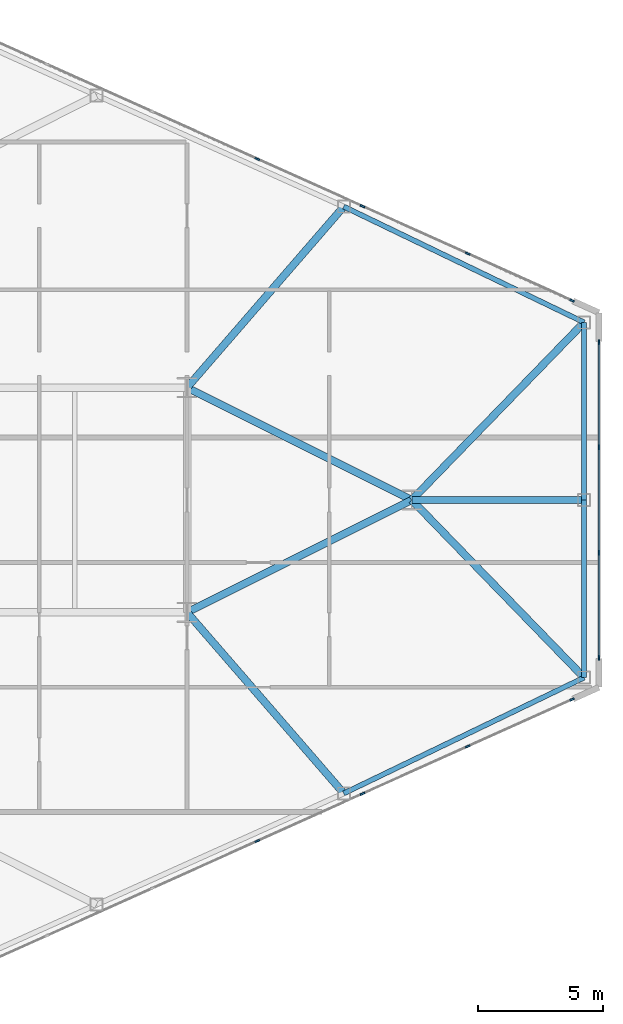
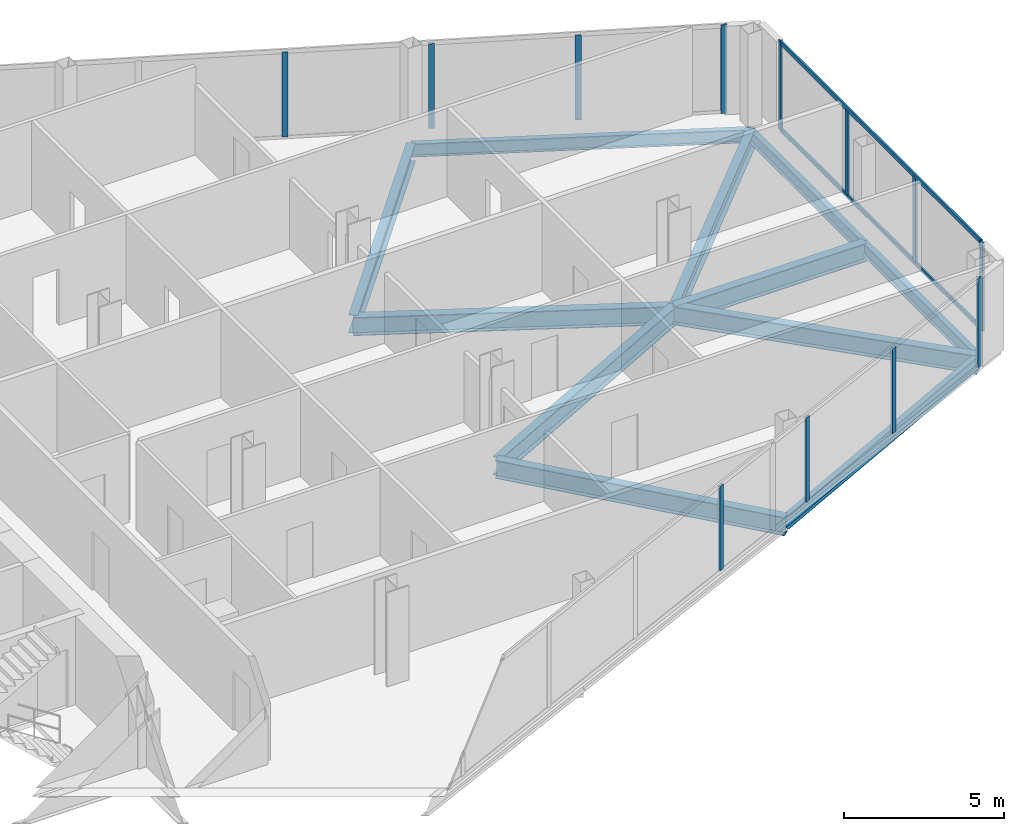
# One storey, part 16 of 27: 14 members, 11 beams, 3 elements without a shape of their own.
"""IFC4 building model written with IfcOpenShell, lengths in metres."""

from ifc_helpers import new_model, si_unit, direction, frame, origin, origin_2d, place, context, subcontext, project, spatial, rectangle, i_section, extrude, source, transform, mapped, material, layer, layer_set, material_profile, profile_set, type_object, type_shapes, element, aggregate, save


model = new_model("IFC4")

# Units and contexts
model_context = context("Model", 3, precision=1e-05, world=origin(), true_north=direction((0.0, 1.0)))
body_context = subcontext(model_context, "Body", "Model", "MODEL_VIEW")
ifc_project = project(units=[si_unit("LENGTHUNIT", "METRE"), si_unit("AREAUNIT", "SQUARE_METRE"), si_unit("VOLUMEUNIT", "CUBIC_METRE"), si_unit("PLANEANGLEUNIT", "RADIAN"), si_unit("MASSUNIT", "GRAM", prefix="KILO")], contexts=[model_context])

# Site, building, storey
site_placement = place(None, origin())
site = spatial("IfcSite", under=ifc_project, at=site_placement, CompositionType="ELEMENT")
building_placement = place(site_placement, origin())
building = spatial("IfcBuilding", under=site, at=building_placement, Name="Seokmaru Belvedere", CompositionType="ELEMENT")
storey_placement = place(building_placement, frame((0.0, 0.0, 99.60009765625)))
storey = spatial("IfcBuildingStorey", under=building, at=storey_placement, Name="L26", CompositionType="ELEMENT", Elevation=99.60009765625)

# Beams
ifc_material_1 = material(Name="Steel SM355 (355 MPa)", Category="steel")
ifc_material_profile_1 = material_profile(ifc_material_1, i_section(OverallWidth=0.300048828125, OverallDepth=0.699951171875, WebThickness=0.012939453125, FlangeThickness=0.02392578125, at=origin_2d()), Name="H-700x300x13x24")
ifc_profile_set_1 = profile_set([ifc_material_profile_1], Name="Steel SM355 (355 MPa)")
beam_type_1 = type_object("IfcBeamType", Name="Primary Floor Girder H-700", PredefinedType="BEAM", material=ifc_profile_set_1)
shared_shape_1 = source(origin(), body_context, "Body", "SweptSolid", [
    extrude(i_section(OverallWidth=0.300048828125, OverallDepth=0.699951171875, WebThickness=0.012939453125, FlangeThickness=0.02392578125, at=origin_2d()), origin(), (0.0, 0.0, 1.0), 10.062255859375),
])
for number, where, z_axis, x_axis, name in (
    (1, (54.5, -4.5, -0.570068359375), (0.894427191, 0.4472135955, 0.0), (-0.4472135955, 0.894427191, 0.0), "L26 E Apex Converging Girder 1"),
    (2, (54.5, 4.5, -0.570068359375), (0.894427191, -0.4472135955, 0.0), (0.4472135955, 0.894427191, 0.0), "L26 E Apex Converging Girder 2"),
):
    element("IfcBeam", number, at=place(storey_placement, frame(where, z_axis=z_axis, x_axis=x_axis)), inside=storey, type_object=beam_type_1, Name=name, PredefinedType="BEAM", context=body_context, shape_type="MappedRepresentation", body=[
        mapped(shared_shape_1, transform((0.0, 0.0, 0.0), scale=1.0)),
    ])
ifc_material_profile_2 = material_profile(ifc_material_1, i_section(OverallWidth=0.199951171875, OverallDepth=0.5, WebThickness=0.010009765625, FlangeThickness=0.01611328125, at=origin_2d()), Name="H-500x200x10x16")
ifc_profile_set_2 = profile_set([ifc_material_profile_2], Name="Steel SM355 (355 MPa)")
beam_type_2 = type_object("IfcBeamType", Name="Perimeter Spandrel Beam H-500", PredefinedType="SPANDREL", material=ifc_profile_set_2)
shared_shape_2 = source(origin(), body_context, "Body", "SweptSolid", [
    extrude(i_section(OverallWidth=0.199951171875, OverallDepth=0.5, WebThickness=0.010009765625, FlangeThickness=0.01611328125, at=origin_2d()), origin(), (0.0, 0.0, 1.0), 10.681396484375),
])
for number, where, z_axis, x_axis, name in (
    (3, (60.777587890625, -11.749267578125, -0.47021484375), (0.900846426616, 0.434137899352, 0.0), (-0.434137899352, 0.900846426616, 0.0), "L26 E Faceted Flank Spandrel S-4"),
    (4, (60.777587890625, 11.749267578125, -0.47021484375), (0.900846426616, -0.434137899352, 0.0), (0.434137899352, 0.900846426616, 0.0), "L26 E Faceted Flank Spandrel N-4"),
):
    element("IfcBeam", number, at=place(storey_placement, frame(where, z_axis=z_axis, x_axis=x_axis)), inside=storey, type_object=beam_type_2, Name=name, PredefinedType="SPANDREL", context=body_context, shape_type="MappedRepresentation", body=[
        mapped(shared_shape_2, transform((0.0, 0.0, 0.0), scale=1.0)),
    ])
shared_shape_3 = source(origin(), body_context, "Body", "SweptSolid", [
    extrude(i_section(OverallWidth=0.199951171875, OverallDepth=0.5, WebThickness=0.010009765625, FlangeThickness=0.01611328125, at=origin_2d()), origin(), (0.0, 0.0, 1.0), 7.112060546875),
])
type_shapes(beam_type_2, [shared_shape_2, shared_shape_3])
for number, where, z_axis, x_axis, name in (
    (5, (70.39990234375, -7.112060546875, -0.47021484375), (0.0, 1.0, 0.0), (-1.0, 0.0, 0.0), "L26 E Faceted Apex Spandrel S"),
    (6, (70.39990234375, 0.0, -0.47021484375), (0.0, 1.0, 0.0), (-1.0, 0.0, 0.0), "L26 E Faceted Apex Spandrel N"),
):
    element("IfcBeam", number, at=place(storey_placement, frame(where, z_axis=z_axis, x_axis=x_axis)), inside=storey, type_object=beam_type_2, Name=name, PredefinedType="SPANDREL", context=body_context, shape_type="MappedRepresentation", body=[
        mapped(shared_shape_3, transform((0.0, 0.0, 0.0), scale=1.0)),
    ])
shared_shape_4 = source(origin(), body_context, "Body", "SweptSolid", [
    extrude(i_section(OverallWidth=0.300048828125, OverallDepth=0.699951171875, WebThickness=0.012939453125, FlangeThickness=0.02392578125, at=origin_2d()), origin(), (0.0, 0.0, 1.0), 9.589599609375),
])
for number, where, z_axis, x_axis, name in (
    (7, (60.777587890625, -11.749267578125, -0.570068359375), (-0.654626140929, 0.755952786629, 0.0), (-0.755952786629, -0.654626140929, 0.0), "L26 E Flank Radial Floor Girder S-3"),
    (8, (60.777587890625, 11.749267578125, -0.570068359375), (-0.654626140929, -0.755952786629, 0.0), (0.755952786629, -0.654626140929, 0.0), "L26 E Flank Radial Floor Girder N-3"),
):
    element("IfcBeam", number, at=place(storey_placement, frame(where, z_axis=z_axis, x_axis=x_axis)), inside=storey, type_object=beam_type_1, Name=name, PredefinedType="BEAM", context=body_context, shape_type="MappedRepresentation", body=[
        mapped(shared_shape_4, transform((0.0, 0.0, 0.0), scale=1.0)),
    ])
shared_shape_5 = source(origin(), body_context, "Body", "SweptSolid", [
    extrude(i_section(OverallWidth=0.300048828125, OverallDepth=0.699951171875, WebThickness=0.012939453125, FlangeThickness=0.02392578125, at=origin_2d()), origin(), (0.0, 0.0, 1.0), 9.9091796875),
])
for number, where, z_axis, x_axis, name in (
    (9, (70.39990234375, -7.112060546875, -0.570068359375), (-0.6963205089, 0.717730972499, 0.0), (-0.717730972499, -0.6963205089, 0.0), "L26 E Apex Radial Floor Girder 1"),
    (10, (70.39990234375, 7.112060546875, -0.570068359375), (-0.6963205089, -0.717730972499, 0.0), (0.717730972499, -0.6963205089, 0.0), "L26 E Apex Radial Floor Girder 2"),
):
    element("IfcBeam", number, at=place(storey_placement, frame(where, z_axis=z_axis, x_axis=x_axis)), inside=storey, type_object=beam_type_1, Name=name, PredefinedType="BEAM", context=body_context, shape_type="MappedRepresentation", body=[
        mapped(shared_shape_5, transform((0.0, 0.0, 0.0), scale=1.0)),
    ])
shared_shape_6 = source(origin(), body_context, "Body", "SweptSolid", [
    extrude(i_section(OverallWidth=0.300048828125, OverallDepth=0.699951171875, WebThickness=0.012939453125, FlangeThickness=0.02392578125, at=origin_2d()), origin(), (0.0, 0.0, 1.0), 6.89990234375),
])
type_shapes(beam_type_1, [shared_shape_1, shared_shape_4, shared_shape_5, shared_shape_6])
beam_placement = place(storey_placement, frame((70.39990234375, 0.0, -0.570068359375), z_axis=(-1.0, 0.0, 0.0), x_axis=(0.0, -1.0, 0.0)))
element("IfcBeam", 11, at=beam_placement, inside=storey, type_object=beam_type_1, Name="L26 E Apex Center Radial Girder", PredefinedType="BEAM", context=body_context, shape_type="MappedRepresentation", body=[
    mapped(shared_shape_6, transform((0.0, 0.0, 0.0), scale=1.0)),
])

# Curtain wall, member
ifc_material_2 = material(Name="Bronze Triple Insulating Glass", Category="glass")
ifc_layer = layer(ifc_material_2, 0.195068359375)
ifc_layer_set = layer_set([ifc_layer], Name="Bronze Triple Insulating Glass")
curtain_wall_type = type_object("IfcCurtainWallType", Name="Lower-Mid Tapered Curtain Wall System CW-3", PredefinedType="NOTDEFINED", material=ifc_layer_set)
curtain_wall_1_placement = place(storey_placement, origin())
curtain_wall_1 = element("IfcCurtainWall", 12, at=curtain_wall_1_placement, inside=storey, type_object=curtain_wall_type, Name="L26 Curtain Wall EF1", PredefinedType="NOTDEFINED")
ifc_material_3 = material(Name="Anodised Bronze Aluminium", Category="aluminium")
ifc_material_profile_3 = material_profile(ifc_material_3, rectangle(XDim=0.070068359375, YDim=0.195068359375, at=origin_2d()), Name="CW-M-70x195")
ifc_profile_set_3 = profile_set([ifc_material_profile_3], Name="Anodised Bronze Aluminium")
member_type_1 = type_object("IfcMemberType", Name="Bronze Unitised Mullion 70x195", PredefinedType="MULLION", material=ifc_profile_set_3)
shared_shape_7 = source(origin(), body_context, "Body", "SweptSolid", [
    extrude(rectangle(XDim=0.070068359375, YDim=0.195068359375, at=origin_2d()), origin(), (0.0, 0.0, 1.0), 3.3798828125),
])
member_1_placement = place(storey_placement, frame((69.91943359375, -7.986328125, 0.0), z_axis=(0.0, 0.0, 1.0), x_axis=(-0.41036554765, 0.91192111353, 0.0)))
member_1 = element("IfcMember", 13, at=member_1_placement, type_object=member_type_1, Name="CW:L26:EF1 Mullion 10", PredefinedType="MULLION", context=body_context, shape_type="MappedRepresentation", body=[
    mapped(shared_shape_7, transform((0.0, 0.0, 0.0), scale=1.0)),
])

# Curtain wall, members
curtain_wall_2_placement = place(storey_placement, origin())
curtain_wall_2 = element("IfcCurtainWall", 14, at=curtain_wall_2_placement, inside=storey, type_object=curtain_wall_type, Name="L26 Curtain Wall EF2", PredefinedType="NOTDEFINED")
member_2_placement = place(storey_placement, frame((71.0, -6.31494140625, 0.0), z_axis=(0.0, 0.0, 1.0), x_axis=(-1.0, 0.0, 0.0)))
member_2 = element("IfcMember", 15, at=member_2_placement, type_object=member_type_1, Name="CW:L26:EF2 Mullion 1", PredefinedType="MULLION", context=body_context, shape_type="MappedRepresentation", body=[
    mapped(shared_shape_7, transform((0.0, 0.0, 0.0), scale=1.0)),
])
member_3_placement = place(storey_placement, frame((71.0, 6.31494140625, 0.0), z_axis=(0.0, 0.0, 1.0), x_axis=(-1.0, 0.0, 0.0)))
member_3 = element("IfcMember", 16, at=member_3_placement, type_object=member_type_1, Name="CW:L26:EF2 Mullion 4", PredefinedType="MULLION", context=body_context, shape_type="MappedRepresentation", body=[
    mapped(shared_shape_7, transform((0.0, 0.0, 0.0), scale=1.0)),
])

# Curtain wall, member
curtain_wall_3_placement = place(storey_placement, origin())
curtain_wall_3 = element("IfcCurtainWall", 17, at=curtain_wall_3_placement, inside=storey, type_object=curtain_wall_type, Name="L26 Curtain Wall EF3", PredefinedType="NOTDEFINED")
member_4_placement = place(storey_placement, frame((69.91943359375, 7.986328125, 0.0), z_axis=(0.0, 0.0, 1.0), x_axis=(-0.41036554765, -0.91192111353, 0.0)))
member_4 = element("IfcMember", 18, at=member_4_placement, type_object=member_type_1, Name="CW:L26:EF3 Mullion 1", PredefinedType="MULLION", context=body_context, shape_type="MappedRepresentation", body=[
    mapped(shared_shape_7, transform((0.0, 0.0, 0.0), scale=1.0)),
])

# Member
shared_shape_8 = source(origin(), body_context, "Body", "SweptSolid", [
    extrude(rectangle(XDim=0.070068359375, YDim=0.195068359375, at=origin_2d()), origin(), (0.0, 0.0, 1.0), 3.239990234375),
])
type_shapes(member_type_1, [shared_shape_7, shared_shape_8])
member_5_placement = place(storey_placement, frame((57.317138671875, -13.6572265625, 0.06982421875), z_axis=(0.0, 0.0, 1.0), x_axis=(-0.41036554765, 0.91192111353, 0.0)))
member_5 = element("IfcMember", 19, at=member_5_placement, type_object=member_type_1, Name="CW:L26:EF1 Mullion 7", PredefinedType="MULLION", context=body_context, shape_type="MappedRepresentation", body=[
    mapped(shared_shape_8, transform((0.0, 0.0, 0.0), scale=1.0)),
])

member_6_placement = place(storey_placement, frame((61.528564453125, -11.76220703125, 0.06982421875), z_axis=(0.0, 0.0, 1.0), x_axis=(-0.41036554765, 0.91192111353, 0.0)))
member_6 = element("IfcMember", 20, at=member_6_placement, type_object=member_type_1, Name="CW:L26:EF1 Mullion 8", PredefinedType="MULLION", context=body_context, shape_type="MappedRepresentation", body=[
    mapped(shared_shape_8, transform((0.0, 0.0, 0.0), scale=1.0)),
])

member_7_placement = place(storey_placement, frame((65.739990234375, -9.866943359375, 0.06982421875), z_axis=(0.0, 0.0, 1.0), x_axis=(-0.41036554765, 0.91192111353, 0.0)))
member_7 = element("IfcMember", 21, at=member_7_placement, type_object=member_type_1, Name="CW:L26:EF1 Mullion 9", PredefinedType="MULLION", context=body_context, shape_type="MappedRepresentation", body=[
    mapped(shared_shape_8, transform((0.0, 0.0, 0.0), scale=1.0)),
])

aggregate(curtain_wall_1, [member_5, member_6, member_7, member_1])

member_8_placement = place(storey_placement, frame((71.0, -2.11669921875, 0.06982421875), z_axis=(0.0, 0.0, 1.0), x_axis=(-1.0, 0.0, 0.0)))
member_8 = element("IfcMember", 22, at=member_8_placement, type_object=member_type_1, Name="CW:L26:EF2 Mullion 2", PredefinedType="MULLION", context=body_context, shape_type="MappedRepresentation", body=[
    mapped(shared_shape_8, transform((0.0, 0.0, 0.0), scale=1.0)),
])

member_9_placement = place(storey_placement, frame((71.0, 2.11669921875, 0.06982421875), z_axis=(0.0, 0.0, 1.0), x_axis=(-1.0, 0.0, 0.0)))
member_9 = element("IfcMember", 23, at=member_9_placement, type_object=member_type_1, Name="CW:L26:EF2 Mullion 3", PredefinedType="MULLION", context=body_context, shape_type="MappedRepresentation", body=[
    mapped(shared_shape_8, transform((0.0, 0.0, 0.0), scale=1.0)),
])

member_10_placement = place(storey_placement, frame((65.739990234375, 9.866943359375, 0.06982421875), z_axis=(0.0, 0.0, 1.0), x_axis=(-0.41036554765, -0.91192111353, 0.0)))
member_10 = element("IfcMember", 24, at=member_10_placement, type_object=member_type_1, Name="CW:L26:EF3 Mullion 2", PredefinedType="MULLION", context=body_context, shape_type="MappedRepresentation", body=[
    mapped(shared_shape_8, transform((0.0, 0.0, 0.0), scale=1.0)),
])

member_11_placement = place(storey_placement, frame((61.528564453125, 11.76220703125, 0.06982421875), z_axis=(0.0, 0.0, 1.0), x_axis=(-0.41036554765, -0.91192111353, 0.0)))
member_11 = element("IfcMember", 25, at=member_11_placement, type_object=member_type_1, Name="CW:L26:EF3 Mullion 3", PredefinedType="MULLION", context=body_context, shape_type="MappedRepresentation", body=[
    mapped(shared_shape_8, transform((0.0, 0.0, 0.0), scale=1.0)),
])

member_12_placement = place(storey_placement, frame((57.317138671875, 13.6572265625, 0.06982421875), z_axis=(0.0, 0.0, 1.0), x_axis=(-0.41036554765, -0.91192111353, 0.0)))
member_12 = element("IfcMember", 26, at=member_12_placement, type_object=member_type_1, Name="CW:L26:EF3 Mullion 4", PredefinedType="MULLION", context=body_context, shape_type="MappedRepresentation", body=[
    mapped(shared_shape_8, transform((0.0, 0.0, 0.0), scale=1.0)),
])

aggregate(curtain_wall_3, [member_4, member_10, member_11, member_12])

ifc_material_profile_4 = material_profile(ifc_material_3, rectangle(XDim=0.070068359375, YDim=0.1650390625, at=origin_2d()), Name="CW-T-70x165")
ifc_profile_set_4 = profile_set([ifc_material_profile_4], Name="Anodised Bronze Aluminium")
member_type_2 = type_object("IfcMemberType", Name="Bronze Unitised Transom 70x165", PredefinedType="USERDEFINED", material=ifc_profile_set_4)
shared_shape_9 = source(origin(), body_context, "Body", "SweptSolid", [
    extrude(rectangle(XDim=0.070068359375, YDim=0.1650390625, at=origin_2d()), origin(), (0.0, 0.0, 1.0), 12.56005859375),
])
type_shapes(member_type_2, [shared_shape_9])
member_13_placement = place(storey_placement, frame((71.0, -6.280029296875, 0.034912109375), z_axis=(0.0, 1.0, 0.0), x_axis=(-1.0, 0.0, 0.0)))
member_13 = element("IfcMember", 27, at=member_13_placement, type_object=member_type_2, Name="CW:L26:EF2 Continuous Transom 1", ObjectType="TRANSOM", PredefinedType="USERDEFINED", context=body_context, shape_type="MappedRepresentation", body=[
    mapped(shared_shape_9, transform((0.0, 0.0, 0.0), scale=1.0)),
])

member_14_placement = place(storey_placement, frame((71.0, -6.280029296875, 3.344970703125), z_axis=(0.0, 1.0, 0.0), x_axis=(-1.0, 0.0, 0.0)))
member_14 = element("IfcMember", 28, at=member_14_placement, type_object=member_type_2, Name="CW:L26:EF2 Continuous Transom 2", ObjectType="TRANSOM", PredefinedType="USERDEFINED", context=body_context, shape_type="MappedRepresentation", body=[
    mapped(shared_shape_9, transform((0.0, 0.0, 0.0), scale=1.0)),
])

aggregate(curtain_wall_2, [member_2, member_8, member_9, member_3, member_13, member_14])

save(model, "model.ifc")
